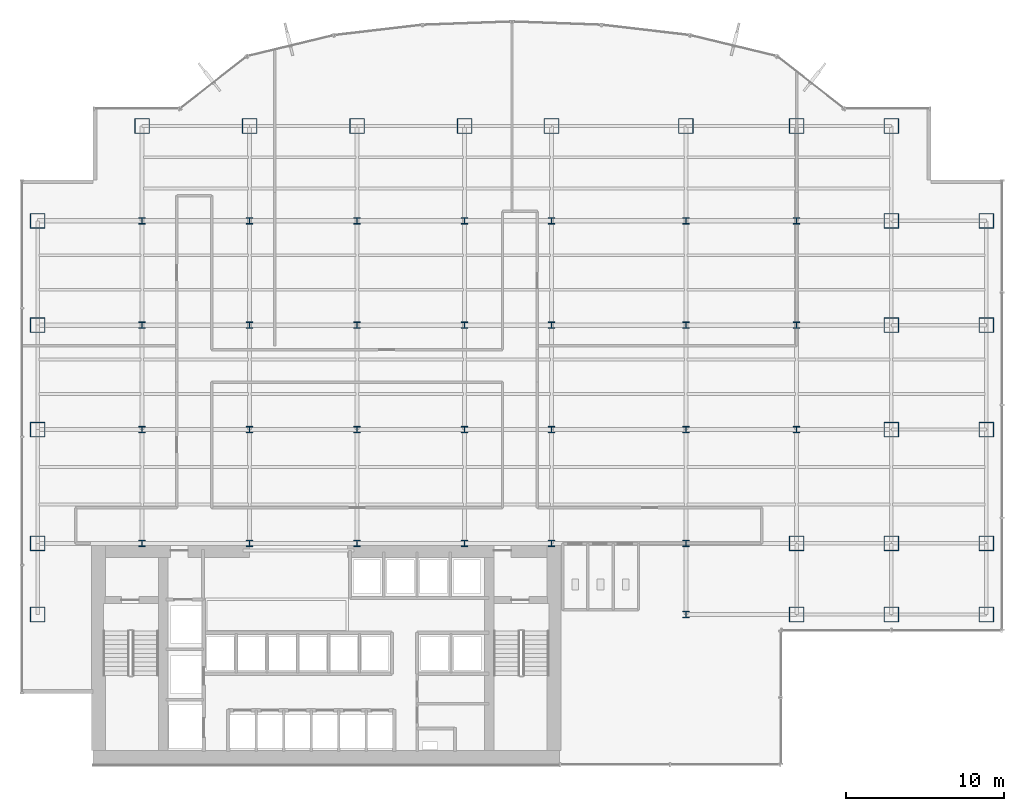
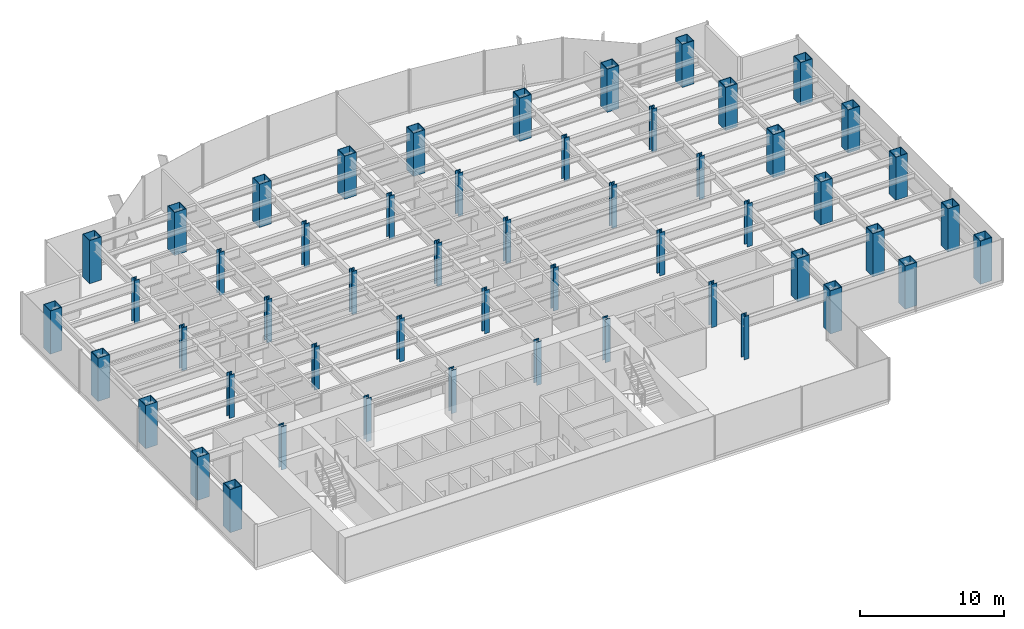
# One storey, part 1 of 22: 53 columns.
"""IFC4 building model written with IfcOpenShell, lengths in metres."""

from ifc_helpers import new_model, si_unit, derived_unit, direction, frame, origin, origin_2d, place, context, subcontext, project, spatial, hollow_rectangle, i_section, extrude, source, transform, mapped, material, material_profile, profile_set, type_object, element, save


model = new_model("IFC4")

# Units and contexts
model_context = context("Model", 3, precision=1e-05, world=origin(), true_north=direction((0.0, 1.0)))
body_context = subcontext(model_context, "Body", "Model", "MODEL_VIEW")
ifc_project = project(units=[si_unit("LENGTHUNIT", "METRE"), si_unit("AREAUNIT", "SQUARE_METRE"), si_unit("VOLUMEUNIT", "CUBIC_METRE"), si_unit("PLANEANGLEUNIT", "RADIAN"), si_unit("MASSUNIT", "GRAM", prefix="KILO"), derived_unit("THERMALTRANSMITTANCEUNIT", [(si_unit("POWERUNIT", "WATT"), 1), (si_unit("LENGTHUNIT", "METRE"), -2), (si_unit("THERMODYNAMICTEMPERATUREUNIT", "KELVIN"), -1)])], contexts=[model_context])

# Site, building, storey
site_placement = place(None, origin())
site = spatial("IfcSite", under=ifc_project, at=site_placement, CompositionType="ELEMENT")
building_placement = place(site_placement, origin())
building = spatial("IfcBuilding", under=site, at=building_placement, Name="Skarnbrae Concourse Arena and Tower", CompositionType="ELEMENT")
storey_placement = place(building_placement, frame((0.0, 0.0, 61.699951171875)))
storey = spatial("IfcBuildingStorey", under=building, at=storey_placement, Name="L14", CompositionType="ELEMENT", Elevation=61.699951171875)

# Columns
ifc_material = material(Name="Steel CSA G40.21 350W", Category="steel")
ifc_material_profile_1 = material_profile(ifc_material, hollow_rectangle(XDim=0.949951171875, YDim=0.949951171875, WallThickness=0.044921875, at=origin_2d()), Name="BOX950X950X45")
ifc_profile_set_1 = profile_set([ifc_material_profile_1], Name="Steel CSA G40.21 350W")
column_type_1 = type_object("IfcColumnType", Name="COL-TUBE-BOX950", PredefinedType="COLUMN", material=ifc_profile_set_1)
shared_shape_1 = source(origin(), body_context, "Body", "SweptSolid", [
    extrude(hollow_rectangle(XDim=0.949951171875, YDim=0.949951171875, WallThickness=0.044921875, at=origin_2d()), origin(), (0.0, 0.0, 1.0), 3.650146484375),
])
for number, where, z_axis, x_axis, name in (
    (1, (1.0, 9.5, 0.0), (0.0, 0.0, 1.0), (1.0, 0.0, 0.0), "L14 Tower column PC_01_01"),
    (2, (1.0, 14.0, 0.0), (0.0, 0.0, 1.0), (1.0, 0.0, 0.0), "L14 Tower column PC_01_02"),
    (3, (1.0, 21.199951171875, 0.0), (0.0, 0.0, 1.0), (1.0, 0.0, 0.0), "L14 Tower column PC_01_03"),
    (4, (1.0, 27.800048828125, 0.0), (0.0, 0.0, 1.0), (1.0, 0.0, 0.0), "L14 Tower column PC_01_04"),
    (5, (1.0, 34.39990234375, 0.0), (0.0, 0.0, 1.0), (1.0, 0.0, 0.0), "L14 Tower column PC_01_05"),
    (6, (7.60009765625, 40.39990234375, 0.0), (0.0, 0.0, 1.0), (1.0, 0.0, 0.0), "L14 Tower column PC_02_06"),
    (7, (14.39990234375, 40.39990234375, 0.0), (0.0, 0.0, 1.0), (1.0, 0.0, 0.0), "L14 Tower column PC_03_06"),
    (8, (21.199951171875, 40.39990234375, 0.0), (0.0, 0.0, 1.0), (1.0, 0.0, 0.0), "L14 Tower column PC_04_06"),
    (9, (28.0, 40.39990234375, 0.0), (0.0, 0.0, 1.0), (1.0, 0.0, 0.0), "L14 Tower column PC_05_06"),
    (10, (33.5, 40.39990234375, 0.0), (0.0, 0.0, 1.0), (1.0, 0.0, 0.0), "L14 Tower column PC_06_06"),
    (11, (42.0, 40.39990234375, 0.0), (0.0, 0.0, 1.0), (1.0, 0.0, 0.0), "L14 Tower column PC_07_06"),
    (12, (49.0, 9.5, 0.0), (0.0, 0.0, 1.0), (1.0, 0.0, 0.0), "L14 Tower column PC_08_01"),
    (13, (49.0, 14.0, 0.0), (0.0, 0.0, 1.0), (1.0, 0.0, 0.0), "L14 Tower column PC_08_02"),
    (14, (49.0, 40.39990234375, 0.0), (0.0, 0.0, 1.0), (1.0, 0.0, 0.0), "L14 Tower column PC_08_06"),
    (15, (55.0, 9.5, 0.0), (0.0, 0.0, 1.0), (1.0, 0.0, 0.0), "L14 Tower column PC_09_01"),
    (16, (55.0, 14.0, 0.0), (0.0, 0.0, 1.0), (1.0, 0.0, 0.0), "L14 Tower column PC_09_02"),
    (17, (55.0, 21.199951171875, 0.0), (0.0, 0.0, 1.0), (1.0, 0.0, 0.0), "L14 Tower column PC_09_03"),
    (18, (55.0, 27.800048828125, 0.0), (0.0, 0.0, 1.0), (1.0, 0.0, 0.0), "L14 Tower column PC_09_04"),
    (19, (55.0, 34.39990234375, 0.0), (0.0, 0.0, 1.0), (1.0, 0.0, 0.0), "L14 Tower column PC_09_05"),
    (20, (55.0, 40.39990234375, 0.0), (0.0, 0.0, 1.0), (1.0, 0.0, 0.0), "L14 Tower column PC_09_06"),
    (21, (61.0, 9.5, 0.0), (0.0, 0.0, 1.0), (1.0, 0.0, 0.0), "L14 Tower column PC_10_01"),
    (22, (61.0, 14.0, 0.0), (0.0, 0.0, 1.0), (1.0, 0.0, 0.0), "L14 Tower column PC_10_02"),
    (23, (61.0, 21.199951171875, 0.0), (0.0, 0.0, 1.0), (1.0, 0.0, 0.0), "L14 Tower column PC_10_03"),
    (24, (61.0, 27.800048828125, 0.0), (0.0, 0.0, 1.0), (1.0, 0.0, 0.0), "L14 Tower column PC_10_04"),
    (25, (61.0, 34.39990234375, 0.0), (0.0, 0.0, 1.0), (1.0, 0.0, 0.0), "L14 Tower column PC_10_05"),
):
    element("IfcColumn", number, at=place(storey_placement, frame(where, z_axis=z_axis, x_axis=x_axis)), inside=storey, type_object=column_type_1, Name=name, PredefinedType="COLUMN", context=body_context, shape_type="MappedRepresentation", body=[
        mapped(shared_shape_1, transform((0.0, 0.0, 0.0))),
    ])
ifc_material_profile_2 = material_profile(ifc_material, i_section(OverallWidth=0.406005859375, OverallDepth=0.416015625, WebThickness=0.02978515625, FlangeThickness=0.048095703125, at=origin_2d()), Name="W360X382")
ifc_profile_set_2 = profile_set([ifc_material_profile_2], Name="Steel CSA G40.21 350W")
column_type_2 = type_object("IfcColumnType", Name="COL-INT-W360X382", PredefinedType="COLUMN", material=ifc_profile_set_2)
shared_shape_2 = source(origin(), body_context, "Body", "SweptSolid", [
    extrude(i_section(OverallWidth=0.406005859375, OverallDepth=0.416015625, WebThickness=0.02978515625, FlangeThickness=0.048095703125, at=origin_2d()), origin(), (0.0, 0.0, 1.0), 3.650146484375),
])
for number, where, z_axis, x_axis, name in (
    (26, (7.60009765625, 14.0, 0.0), (0.0, 0.0, 1.0), (1.0, 0.0, 0.0), "L14 Tower column IC_02_02"),
    (27, (7.60009765625, 21.199951171875, 0.0), (0.0, 0.0, 1.0), (1.0, 0.0, 0.0), "L14 Tower column IC_02_03"),
    (28, (7.60009765625, 27.800048828125, 0.0), (0.0, 0.0, 1.0), (1.0, 0.0, 0.0), "L14 Tower column IC_02_04"),
    (29, (7.60009765625, 34.39990234375, 0.0), (0.0, 0.0, 1.0), (1.0, 0.0, 0.0), "L14 Tower column IC_02_05"),
    (30, (14.39990234375, 14.0, 0.0), (0.0, 0.0, 1.0), (1.0, 0.0, 0.0), "L14 Tower column IC_03_02"),
    (31, (14.39990234375, 21.199951171875, 0.0), (0.0, 0.0, 1.0), (1.0, 0.0, 0.0), "L14 Tower column IC_03_03"),
    (32, (14.39990234375, 27.800048828125, 0.0), (0.0, 0.0, 1.0), (1.0, 0.0, 0.0), "L14 Tower column IC_03_04"),
    (33, (14.39990234375, 34.39990234375, 0.0), (0.0, 0.0, 1.0), (1.0, 0.0, 0.0), "L14 Tower column IC_03_05"),
    (34, (21.199951171875, 14.0, 0.0), (0.0, 0.0, 1.0), (1.0, 0.0, 0.0), "L14 Tower column IC_04_02"),
    (35, (21.199951171875, 21.199951171875, 0.0), (0.0, 0.0, 1.0), (1.0, 0.0, 0.0), "L14 Tower column IC_04_03"),
    (36, (21.199951171875, 27.800048828125, 0.0), (0.0, 0.0, 1.0), (1.0, 0.0, 0.0), "L14 Tower column IC_04_04"),
    (37, (21.199951171875, 34.39990234375, 0.0), (0.0, 0.0, 1.0), (1.0, 0.0, 0.0), "L14 Tower column IC_04_05"),
    (38, (28.0, 14.0, 0.0), (0.0, 0.0, 1.0), (1.0, 0.0, 0.0), "L14 Tower column IC_05_02"),
    (39, (28.0, 21.199951171875, 0.0), (0.0, 0.0, 1.0), (1.0, 0.0, 0.0), "L14 Tower column IC_05_03"),
    (40, (28.0, 27.800048828125, 0.0), (0.0, 0.0, 1.0), (1.0, 0.0, 0.0), "L14 Tower column IC_05_04"),
    (41, (28.0, 34.39990234375, 0.0), (0.0, 0.0, 1.0), (1.0, 0.0, 0.0), "L14 Tower column IC_05_05"),
    (42, (33.5, 14.0, 0.0), (0.0, 0.0, 1.0), (1.0, 0.0, 0.0), "L14 Tower column IC_06_02"),
    (43, (33.5, 21.199951171875, 0.0), (0.0, 0.0, 1.0), (1.0, 0.0, 0.0), "L14 Tower column IC_06_03"),
    (44, (33.5, 27.800048828125, 0.0), (0.0, 0.0, 1.0), (1.0, 0.0, 0.0), "L14 Tower column IC_06_04"),
    (45, (33.5, 34.39990234375, 0.0), (0.0, 0.0, 1.0), (1.0, 0.0, 0.0), "L14 Tower column IC_06_05"),
    (46, (42.0, 9.5, 0.0), (0.0, 0.0, 1.0), (1.0, 0.0, 0.0), "L14 Tower column IC_07_01"),
    (47, (42.0, 14.0, 0.0), (0.0, 0.0, 1.0), (1.0, 0.0, 0.0), "L14 Tower column IC_07_02"),
    (48, (42.0, 21.199951171875, 0.0), (0.0, 0.0, 1.0), (1.0, 0.0, 0.0), "L14 Tower column IC_07_03"),
    (49, (42.0, 27.800048828125, 0.0), (0.0, 0.0, 1.0), (1.0, 0.0, 0.0), "L14 Tower column IC_07_04"),
    (50, (42.0, 34.39990234375, 0.0), (0.0, 0.0, 1.0), (1.0, 0.0, 0.0), "L14 Tower column IC_07_05"),
    (51, (49.0, 21.199951171875, 0.0), (0.0, 0.0, 1.0), (1.0, 0.0, 0.0), "L14 Tower column IC_08_03"),
    (52, (49.0, 27.800048828125, 0.0), (0.0, 0.0, 1.0), (1.0, 0.0, 0.0), "L14 Tower column IC_08_04"),
    (53, (49.0, 34.39990234375, 0.0), (0.0, 0.0, 1.0), (1.0, 0.0, 0.0), "L14 Tower column IC_08_05"),
):
    element("IfcColumn", number, at=place(storey_placement, frame(where, z_axis=z_axis, x_axis=x_axis)), inside=storey, type_object=column_type_2, Name=name, PredefinedType="COLUMN", context=body_context, shape_type="MappedRepresentation", body=[
        mapped(shared_shape_2, transform((0.0, 0.0, 0.0))),
    ])

save(model, "model.ifc")
